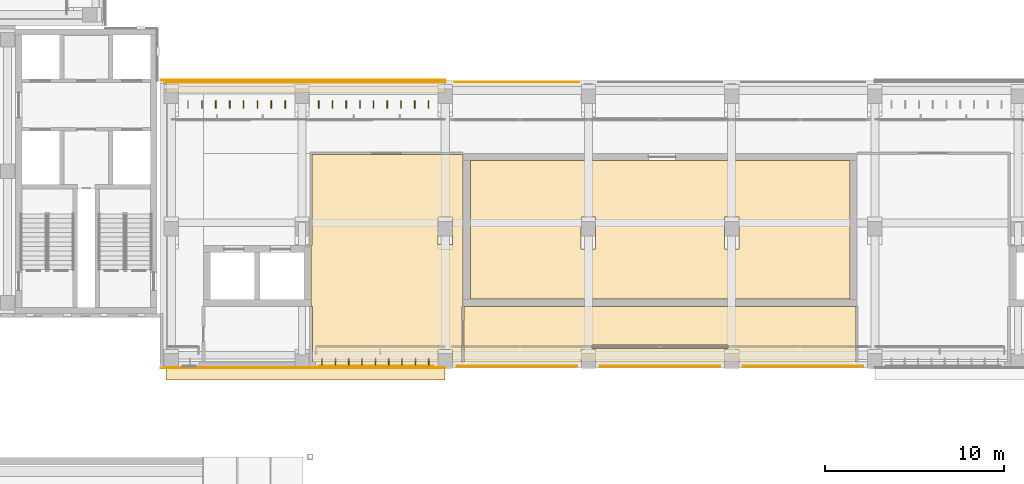
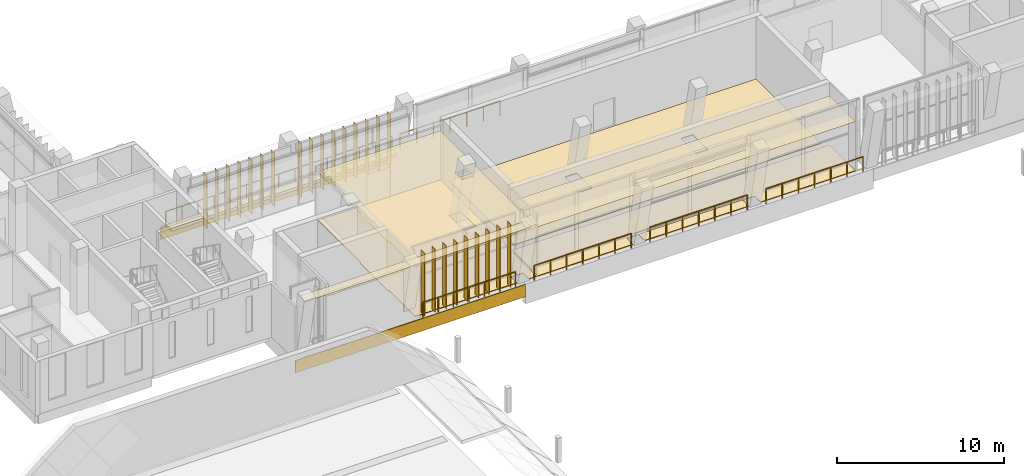
# One storey, part 71 of 89: 25 shading devices, 9 coverings, 6 railings.
"""IFC4 building model written with IfcOpenShell, lengths in metres."""

from ifc_helpers import new_model, si_unit, direction, frame, frame_2d, origin, origin_2d, place, context, subcontext, project, spatial, polyline, rectangle, circle, outline, extrude, material, layer, layer_set, type_object, element, save


model = new_model("IFC4")

# Units and contexts
model_context = context("Model", 3, precision=1e-05, world=origin(), true_north=direction((0.0, 1.0)))
body_context = subcontext(model_context, "Body", "Model", "MODEL_VIEW")
ifc_project = project(units=[si_unit("LENGTHUNIT", "METRE"), si_unit("AREAUNIT", "SQUARE_METRE"), si_unit("VOLUMEUNIT", "CUBIC_METRE"), si_unit("PLANEANGLEUNIT", "RADIAN"), si_unit("MASSUNIT", "GRAM", prefix="KILO")], contexts=[model_context])

# Site, building, storey
site_placement = place(None, origin())
site = spatial("IfcSite", under=ifc_project, at=site_placement, CompositionType="ELEMENT")
building_placement = place(site_placement, origin())
building = spatial("IfcBuilding", under=site, at=building_placement, Name="Lantern Court Media Centre", CompositionType="ELEMENT")
storey_placement = place(building_placement, frame((0.0, 0.0, 14.39990234375)))
storey = spatial("IfcBuildingStorey", under=building, at=storey_placement, Name="L03", CompositionType="ELEMENT", Elevation=14.39990234375)

# Coverings
ifc_material_1 = material(Name="Carpet")
ifc_layer_1 = layer(ifc_material_1, 0.050048828125)
ifc_layer_set_1 = layer_set([ifc_layer_1], Name="Carpet")
covering_type_1 = type_object("IfcCoveringType", Name="Carpet floor finish", PredefinedType="FLOORING", material=ifc_layer_set_1)
covering_1_placement = place(storey_placement, origin())
element("IfcCovering", 1, at=covering_1_placement, inside=storey, type_object=covering_type_1, Name="Library Stacks floor finish", PredefinedType="FLOORING", context=body_context, shape_type="SweptSolid", body=[
    extrude(outline(polyline([(41.405029296875, 56.544921875), (62.594970703125, 56.544921875), (62.594970703125, 48.804931640625), (41.405029296875, 48.804931640625), (41.405029296875, 56.544921875)]), holes=[polyline([(56.39990234375, 51.594970703125), (56.404541015625, 53.40185546875), (55.59814453125, 53.404541015625), (55.595458984375, 51.59814453125), (56.39990234375, 51.594970703125)]), polyline([(48.39990234375, 51.594970703125), (48.404541015625, 53.40185546875), (47.59814453125, 53.404541015625), (47.595458984375, 51.59814453125), (48.39990234375, 51.594970703125)])]), origin(), (0.0, 0.0, 1.0), 0.050048828125),
])
covering_2_placement = place(storey_placement, origin())
element("IfcCovering", 2, at=covering_2_placement, inside=storey, type_object=covering_type_1, Name="Reading Carrels floor finish", PredefinedType="FLOORING", context=body_context, shape_type="SweptSolid", body=[
    extrude(outline(polyline([(41.054931640625, 45.300048828125), (41.054931640625, 48.39501953125), (62.945068359375, 48.39501953125), (62.945068359375, 45.300048828125), (56.405029296875, 45.300048828125), (56.39990234375, 46.0048828125), (55.596923828125, 46.00390625), (55.594970703125, 45.300048828125), (48.405029296875, 45.300048828125), (48.39990234375, 46.0048828125), (47.596923828125, 46.00390625), (47.594970703125, 45.300048828125), (41.054931640625, 45.300048828125)]), holes=[polyline([(48.199951171875, 46.2548828125), (48.199951171875, 46.044921875), (55.804931640625, 46.050048828125), (55.800048828125, 46.2548828125), (48.199951171875, 46.2548828125)])]), origin(), (0.0, 0.0, 1.0), 0.050048828125),
])
covering_3_placement = place(storey_placement, origin())
element("IfcCovering", 3, at=covering_3_placement, inside=storey, type_object=covering_type_1, Name="Media Library Reading Room 03 floor finish", PredefinedType="FLOORING", context=body_context, shape_type="SweptSolid", body=[
    extrude(outline(polyline([(39.594970703125, 45.300048828125), (32.5849609375, 45.304931640625), (32.5849609375, 48.39990234375), (32.5048828125, 48.405029296875), (32.5048828125, 51.794921875), (32.5673828125, 51.800048828125), (32.5673828125, 56.882568359375), (40.9951171875, 56.882568359375), (40.9951171875, 48.405029296875), (40.945068359375, 48.39990234375), (40.945068359375, 45.300048828125), (40.405029296875, 45.300048828125), (40.39990234375, 46.0048828125), (39.596923828125, 46.00390625), (39.594970703125, 45.300048828125)]), holes=[polyline([(39.594970703125, 51.60009765625), (40.404541015625, 51.59814453125), (40.40185546875, 53.404541015625), (39.595458984375, 53.40185546875), (39.594970703125, 51.60009765625)])]), origin(), (0.0, 0.0, 1.0), 0.050048828125),
])

# Railings
ifc_material_2 = material(Name="Powder-coated steel", Category="steel")
railing_type_1 = type_object("IfcRailingType", Name="Floor edge guard 1100", PredefinedType="GUARDRAIL", material=ifc_material_2)
railing_1_placement = place(storey_placement, frame((39.35107421875, 45.06005859375, 0.0)))
element("IfcRailing", 4, at=railing_1_placement, inside=storey, type_object=railing_type_1, Name="L03 edge guard 84", PredefinedType="GUARDRAIL", context=body_context, shape_type="SweptSolid", body=[
    extrude(circle(Radius=0.02392578125, at=origin_2d()), frame((0.0, 0.0, 1.076171875), z_axis=(-1.0, 0.0, 0.0), x_axis=(0.0, -1.0, 0.0)), (0.0, 0.0, 1.0), 6.39599609375),
    extrude(circle(Radius=0.02099609375, at=origin_2d()), origin(), (0.0, 0.0, 1.0), 1.052001953125),
    extrude(circle(Radius=0.02099609375, at=origin_2d()), frame((-1.06591796875, 0.0, 0.0)), (0.0, 0.0, 1.0), 1.052001953125),
    extrude(circle(Radius=0.02099609375, at=origin_2d()), frame((-2.132080078125, 0.0, 0.0)), (0.0, 0.0, 1.0), 1.052001953125),
    extrude(circle(Radius=0.02099609375, at=origin_2d()), frame((-3.197998046875, 0.0, 0.0)), (0.0, 0.0, 1.0), 1.052001953125),
    extrude(circle(Radius=0.02099609375, at=origin_2d()), frame((-4.263916015625, 0.0, 0.0)), (0.0, 0.0, 1.0), 1.052001953125),
    extrude(circle(Radius=0.02099609375, at=origin_2d()), frame((-5.330078125, 0.0, 0.0)), (0.0, 0.0, 1.0), 1.052001953125),
    extrude(circle(Radius=0.02099609375, at=origin_2d()), frame((-6.39599609375, 0.0, 0.0)), (0.0, 0.0, 1.0), 1.052001953125),
])
railing_2_placement = place(storey_placement, frame((40.56201171875, 60.93994140625, 0.0)))
element("IfcRailing", 5, at=railing_2_placement, inside=storey, type_object=railing_type_1, Name="L03 edge guard 85", PredefinedType="GUARDRAIL", context=body_context, shape_type="SweptSolid", body=[
    extrude(circle(Radius=0.02392578125, at=origin_2d()), frame((0.0, 0.0, 1.076171875), z_axis=(1.0, 0.0, 0.0), x_axis=(0.0, 1.0, 0.0)), (0.0, 0.0, 1.0), 6.89599609375),
    extrude(circle(Radius=0.02099609375, at=origin_2d()), origin(), (0.0, 0.0, 1.0), 1.052001953125),
    extrude(circle(Radius=0.02099609375, at=origin_2d()), frame((1.1494140625, 0.0, 0.0)), (0.0, 0.0, 1.0), 1.052001953125),
    extrude(circle(Radius=0.02099609375, at=origin_2d()), frame((2.298583984375, 0.0, 0.0)), (0.0, 0.0, 1.0), 1.052001953125),
    extrude(circle(Radius=0.02099609375, at=origin_2d()), frame((3.447998046875, 0.0, 0.0)), (0.0, 0.0, 1.0), 1.052001953125),
    extrude(circle(Radius=0.02099609375, at=origin_2d()), frame((4.597412109375, 0.0, 0.0)), (0.0, 0.0, 1.0), 1.052001953125),
    extrude(circle(Radius=0.02099609375, at=origin_2d()), frame((5.74658203125, 0.0, 0.0)), (0.0, 0.0, 1.0), 1.052001953125),
    extrude(circle(Radius=0.02099609375, at=origin_2d()), frame((6.89599609375, 0.0, 0.0)), (0.0, 0.0, 1.0), 1.052001953125),
])
for number, where, name in (
    (6, (47.346923828125, 45.06005859375, 0.0), "L03 edge guard 86"),
    (7, (55.342041015625, 45.06005859375, 0.0), "L03 edge guard 89"),
):
    element("IfcRailing", number, at=place(storey_placement, frame(where)), inside=storey, type_object=railing_type_1, Name=name, PredefinedType="GUARDRAIL", context=body_context, shape_type="SweptSolid", body=[
        extrude(circle(Radius=0.02392578125, at=origin_2d()), frame((0.0, 0.0, 1.076171875), z_axis=(-1.0, 0.0, 0.0), x_axis=(0.0, -1.0, 0.0)), (0.0, 0.0, 1.0), 6.696044921875),
        extrude(circle(Radius=0.02099609375, at=origin_2d()), origin(), (0.0, 0.0, 1.0), 1.052001953125),
        extrude(circle(Radius=0.02099609375, at=origin_2d()), frame((-1.115966796875, 0.0, 0.0)), (0.0, 0.0, 1.0), 1.052001953125),
        extrude(circle(Radius=0.02099609375, at=origin_2d()), frame((-2.23193359375, 0.0, 0.0)), (0.0, 0.0, 1.0), 1.052001953125),
        extrude(circle(Radius=0.02099609375, at=origin_2d()), frame((-3.34814453125, 0.0, 0.0)), (0.0, 0.0, 1.0), 1.052001953125),
        extrude(circle(Radius=0.02099609375, at=origin_2d()), frame((-4.464111328125, 0.0, 0.0)), (0.0, 0.0, 1.0), 1.052001953125),
        extrude(circle(Radius=0.02099609375, at=origin_2d()), frame((-5.580078125, 0.0, 0.0)), (0.0, 0.0, 1.0), 1.052001953125),
        extrude(circle(Radius=0.02099609375, at=origin_2d()), frame((-6.696044921875, 0.0, 0.0)), (0.0, 0.0, 1.0), 1.052001953125),
    ])
railing_3_placement = place(storey_placement, frame((63.337890625, 45.06005859375, 0.0)))
element("IfcRailing", 8, at=railing_3_placement, inside=storey, type_object=railing_type_1, Name="L03 edge guard 92", PredefinedType="GUARDRAIL", context=body_context, shape_type="SweptSolid", body=[
    extrude(circle(Radius=0.02392578125, at=origin_2d()), frame((0.0, 0.0, 1.076171875), z_axis=(-1.0, 0.0, 0.0), x_axis=(0.0, -1.0, 0.0)), (0.0, 0.0, 1.0), 6.69580078125),
    extrude(circle(Radius=0.02099609375, at=origin_2d()), origin(), (0.0, 0.0, 1.0), 1.052001953125),
    extrude(circle(Radius=0.02099609375, at=origin_2d()), frame((-1.115966796875, 0.0, 0.0)), (0.0, 0.0, 1.0), 1.052001953125),
    extrude(circle(Radius=0.02099609375, at=origin_2d()), frame((-2.23193359375, 0.0, 0.0)), (0.0, 0.0, 1.0), 1.052001953125),
    extrude(circle(Radius=0.02099609375, at=origin_2d()), frame((-3.347900390625, 0.0, 0.0)), (0.0, 0.0, 1.0), 1.052001953125),
    extrude(circle(Radius=0.02099609375, at=origin_2d()), frame((-4.4638671875, 0.0, 0.0)), (0.0, 0.0, 1.0), 1.052001953125),
    extrude(circle(Radius=0.02099609375, at=origin_2d()), frame((-5.579833984375, 0.0, 0.0)), (0.0, 0.0, 1.0), 1.052001953125),
    extrude(circle(Radius=0.02099609375, at=origin_2d()), frame((-6.69580078125, 0.0, 0.0)), (0.0, 0.0, 1.0), 1.052001953125),
])

# Coverings
ifc_material_3 = material(Name="White glass-fibre reinforced cement cladding", Category="concrete")
ifc_layer_2 = layer(ifc_material_3, 0.050048828125)
ifc_layer_set_2 = layer_set([ifc_layer_2], Name="White glass-fibre reinforced cement cladding")
covering_type_2 = type_object("IfcCoveringType", Name="Floor-edge band 50", PredefinedType="CLADDING", material=ifc_layer_set_2)
for number, where, z_axis, x_axis, name in (
    (9, (24.10009765625, 44.97509765625, -0.89990234375), (0.0, 0.0, 1.0), (1.0, 0.0, 0.0), "Floor-edge band S outer L03"),
    (10, (24.10009765625, 61.02490234375, -0.89990234375), (0.0, 0.0, 1.0), (1.0, 0.0, 0.0), "Floor-edge band S inner L03"),
):
    element("IfcCovering", number, at=place(storey_placement, frame(where, z_axis=z_axis, x_axis=x_axis)), inside=storey, type_object=covering_type_2, Name=name, PredefinedType="CLADDING", context=body_context, shape_type="SweptSolid", body=[
        extrude(rectangle(XDim=15.89990234375, YDim=0.050048828125, at=frame_2d((7.949951171875, 0.0))), origin(), (0.0, 0.0, 1.0), 0.89990234375),
    ])

# Railing
ifc_material_4 = material(Name="Painted mild steel balustrade", Category="steel")
railing_type_2 = type_object("IfcRailingType", Name="Guard 1100 steel balustrade", PredefinedType="GUARDRAIL", material=ifc_material_4)
railing_4_placement = place(storey_placement, frame((24.39990234375, 60.949951171875, 0.0)))
element("IfcRailing", 11, at=railing_4_placement, inside=storey, type_object=railing_type_2, Name="Ledge guard S L03", PredefinedType="GUARDRAIL", context=body_context, shape_type="SweptSolid", body=[
    extrude(circle(Radius=0.02392578125, at=origin_2d()), frame((0.0, 0.0, 1.076171875), z_axis=(1.0, 0.0, 0.0), x_axis=(0.0, 1.0, 0.0)), (0.0, 0.0, 1.0), 15.60009765625),
    extrude(circle(Radius=0.02099609375, at=origin_2d()), origin(), (0.0, 0.0, 1.0), 1.052001953125),
    extrude(circle(Radius=0.02099609375, at=origin_2d()), frame((1.1142578125, 0.0, 0.0)), (0.0, 0.0, 1.0), 1.052001953125),
    extrude(circle(Radius=0.02099609375, at=origin_2d()), frame((2.228515625, 0.0, 0.0)), (0.0, 0.0, 1.0), 1.052001953125),
    extrude(circle(Radius=0.02099609375, at=origin_2d()), frame((3.3427734375, 0.0, 0.0)), (0.0, 0.0, 1.0), 1.052001953125),
    extrude(circle(Radius=0.02099609375, at=origin_2d()), frame((4.457275390625, 0.0, 0.0)), (0.0, 0.0, 1.0), 1.052001953125),
    extrude(circle(Radius=0.02099609375, at=origin_2d()), frame((5.571533203125, 0.0, 0.0)), (0.0, 0.0, 1.0), 1.052001953125),
    extrude(circle(Radius=0.02099609375, at=origin_2d()), frame((6.685791015625, 0.0, 0.0)), (0.0, 0.0, 1.0), 1.052001953125),
    extrude(circle(Radius=0.02099609375, at=origin_2d()), frame((7.800048828125, 0.0, 0.0)), (0.0, 0.0, 1.0), 1.052001953125),
    extrude(circle(Radius=0.02099609375, at=origin_2d()), frame((8.914306640625, 0.0, 0.0)), (0.0, 0.0, 1.0), 1.052001953125),
    extrude(circle(Radius=0.02099609375, at=origin_2d()), frame((10.028564453125, 0.0, 0.0)), (0.0, 0.0, 1.0), 1.052001953125),
    extrude(circle(Radius=0.02099609375, at=origin_2d()), frame((11.142822265625, 0.0, 0.0)), (0.0, 0.0, 1.0), 1.052001953125),
    extrude(circle(Radius=0.02099609375, at=origin_2d()), frame((12.25732421875, 0.0, 0.0)), (0.0, 0.0, 1.0), 1.052001953125),
    extrude(circle(Radius=0.02099609375, at=origin_2d()), frame((13.37158203125, 0.0, 0.0)), (0.0, 0.0, 1.0), 1.052001953125),
    extrude(circle(Radius=0.02099609375, at=origin_2d()), frame((14.48583984375, 0.0, 0.0)), (0.0, 0.0, 1.0), 1.052001953125),
    extrude(circle(Radius=0.02099609375, at=origin_2d()), frame((15.60009765625, 0.0, 0.0)), (0.0, 0.0, 1.0), 1.052001953125),
])

# Coverings
ifc_material_5 = material(Name="Planting substrate")
ifc_layer_3 = layer(ifc_material_5, 0.199951171875)
ifc_layer_set_3 = layer_set([ifc_layer_3], Name="Planting substrate")
covering_type_3 = type_object("IfcCoveringType", Name="Planted ledge build-up 200", PredefinedType="ROOFING", material=ifc_layer_set_3)
covering_4_placement = place(storey_placement, origin())
element("IfcCovering", 12, at=covering_4_placement, inside=storey, type_object=covering_type_3, Name="Planted ledge S L03", PredefinedType="ROOFING", context=body_context, shape_type="SweptSolid", body=[
    extrude(outline(polyline([(24.39990234375, 60.85009765625), (40.0, 60.85009765625), (40.0, 60.320068359375), (24.39990234375, 60.320068359375), (24.39990234375, 60.85009765625)])), origin(), (0.0, 0.0, 1.0), 0.2001953125),
])
ifc_material_6 = material(Name="White fibre cement soffit board")
ifc_layer_4 = layer(ifc_material_6, 0.0400390625)
ifc_layer_set_4 = layer_set([ifc_layer_4], Name="White fibre cement soffit board")
covering_type_4 = type_object("IfcCoveringType", Name="Soffit lining 40", PredefinedType="CLADDING", material=ifc_layer_set_4)
covering_5_placement = place(storey_placement, frame((24.39990234375, 44.64990234375, 4.5400390625), z_axis=(0.0, 0.0, 1.0), x_axis=(1.0, 0.0, 0.0)))
element("IfcCovering", 13, at=covering_5_placement, inside=storey, type_object=covering_type_4, Name="Soffit lining S L03", PredefinedType="CLADDING", context=body_context, shape_type="SweptSolid", body=[
    extrude(rectangle(XDim=15.60009765625, YDim=0.699951171875, at=frame_2d((7.800048828125, 0.0))), origin(), (0.0, 0.0, 1.0), 0.0400390625),
])
ifc_material_7 = material(Name="Mineral fibre ceiling tile")
ifc_layer_5 = layer(ifc_material_7, 0.02001953125)
ifc_layer_set_5 = layer_set([ifc_layer_5], Name="Mineral fibre ceiling tile")
covering_type_5 = type_object("IfcCoveringType", Name="Suspended ceiling tile", PredefinedType="CEILING", material=ifc_layer_set_5)
covering_6_placement = place(storey_placement, frame((0.0, 0.0, 3.60009765625)))
element("IfcCovering", 14, at=covering_6_placement, inside=storey, type_object=covering_type_5, Name="Reading Carrels ceiling", PredefinedType="CEILING", context=body_context, shape_type="SweptSolid", body=[
    extrude(outline(polyline([(41.050537109375, 45.300048828125), (41.050537109375, 48.3994140625), (62.949462890625, 48.3994140625), (62.949462890625, 45.300048828125), (41.050537109375, 45.300048828125)]), holes=[polyline([(48.199462890625, 46.050048828125), (55.800048828125, 46.049560546875), (55.800537109375, 46.25), (48.199951171875, 46.25048828125), (48.199462890625, 46.050048828125)])]), origin(), (0.0, 0.0, 1.0), 0.02001953125),
])
covering_7_placement = place(storey_placement, frame((0.0, 0.0, 3.60009765625)))
element("IfcCovering", 15, at=covering_7_placement, inside=storey, type_object=covering_type_5, Name="Media Library Reading Room 03 ceiling", PredefinedType="CEILING", context=body_context, shape_type="SweptSolid", body=[
    extrude(outline(polyline([(40.949462890625, 45.300048828125), (32.58056640625, 45.300537109375), (32.58056640625, 48.39990234375), (32.50048828125, 48.400390625), (32.50048828125, 51.799560546875), (32.56298828125, 51.800048828125), (32.56298828125, 56.886962890625), (40.99951171875, 56.886962890625), (40.99951171875, 48.400390625), (40.949462890625, 48.39990234375), (40.949462890625, 45.300048828125)]), holes=[polyline([(40.39990234375, 52.599609375), (40.400146484375, 52.6484375), (39.599609375, 52.64794921875), (39.599853515625, 52.599609375), (40.39990234375, 52.599609375)]), polyline([(40.39990234375, 51.847412109375), (40.400390625, 52.400390625), (39.599609375, 52.400390625), (39.599609375, 51.847412109375), (40.39990234375, 51.847412109375)])]), origin(), (0.0, 0.0, 1.0), 0.02001953125),
])

# Shading devices
ifc_material_8 = material(Name="Bronze anodised aluminium louvre", Category="aluminium")
ifc_layer_6 = layer(ifc_material_8, 0.0400390625)
ifc_layer_set_6 = layer_set([ifc_layer_6], Name="Bronze anodised aluminium louvre")
shading_device_type_1 = type_object("IfcShadingDeviceType", Name="Vertical louvre 40x400 full storey", PredefinedType="USERDEFINED", material=ifc_layer_set_6)
for number, where, z_axis, x_axis, name in (
    (16, (33.122314453125, 45.320068359375, 0.0), (0.0, 0.0, 1.0), (1.0, 0.0, 0.0), "Vertical louvre S outer L03"),
    (17, (33.86669921875, 45.320068359375, 0.0), (0.0, 0.0, 1.0), (1.0, 0.0, 0.0), "Vertical louvre S outer L03"),
    (18, (34.611083984375, 45.320068359375, 0.0), (0.0, 0.0, 1.0), (1.0, 0.0, 0.0), "Vertical louvre S outer L03"),
    (19, (35.35546875, 45.320068359375, 0.0), (0.0, 0.0, 1.0), (1.0, 0.0, 0.0), "Vertical louvre S outer L03"),
    (20, (36.10009765625, 45.320068359375, 0.0), (0.0, 0.0, 1.0), (1.0, 0.0, 0.0), "Vertical louvre S outer L03"),
    (21, (36.844482421875, 45.320068359375, 0.0), (0.0, 0.0, 1.0), (1.0, 0.0, 0.0), "Vertical louvre S outer L03"),
    (22, (37.5888671875, 45.320068359375, 0.0), (0.0, 0.0, 1.0), (1.0, 0.0, 0.0), "Vertical louvre S outer L03"),
    (23, (38.333251953125, 45.320068359375, 0.0), (0.0, 0.0, 1.0), (1.0, 0.0, 0.0), "Vertical louvre S outer L03"),
    (24, (39.077880859375, 45.320068359375, 0.0), (0.0, 0.0, 1.0), (1.0, 0.0, 0.0), "Vertical louvre S outer L03"),
):
    element("IfcShadingDevice", number, at=place(storey_placement, frame(where, z_axis=z_axis, x_axis=x_axis)), inside=storey, type_object=shading_device_type_1, Name=name, ObjectType="VERTICAL LOUVRE", PredefinedType="USERDEFINED", context=body_context, shape_type="SweptSolid", body=[
        extrude(rectangle(XDim=0.0400390625, YDim=0.39990234375, at=origin_2d()), origin(), (0.0, 0.0, 1.0), 4.580078125),
    ])
ifc_layer_7 = layer(ifc_material_8, 0.0400390625)
ifc_layer_set_7 = layer_set([ifc_layer_7], Name="Bronze anodised aluminium louvre")
shading_device_type_2 = type_object("IfcShadingDeviceType", Name="Vertical louvre 40x400 under beam", PredefinedType="USERDEFINED", material=ifc_layer_set_7)
for number, where, z_axis, x_axis, name in (
    (25, (26.41259765625, 59.679931640625, 0.000244140625), (0.0, 0.0, 1.0), (1.0, 0.0, 0.0), "Vertical louvre S inner L03"),
    (26, (27.1875, 59.679931640625, 0.000244140625), (0.0, 0.0, 1.0), (1.0, 0.0, 0.0), "Vertical louvre S inner L03"),
    (27, (27.96240234375, 59.679931640625, 0.000244140625), (0.0, 0.0, 1.0), (1.0, 0.0, 0.0), "Vertical louvre S inner L03"),
    (28, (28.737548828125, 59.679931640625, 0.000244140625), (0.0, 0.0, 1.0), (1.0, 0.0, 0.0), "Vertical louvre S inner L03"),
    (29, (29.512451171875, 59.679931640625, 0.000244140625), (0.0, 0.0, 1.0), (1.0, 0.0, 0.0), "Vertical louvre S inner L03"),
    (30, (30.28759765625, 59.679931640625, 0.000244140625), (0.0, 0.0, 1.0), (1.0, 0.0, 0.0), "Vertical louvre S inner L03"),
    (31, (31.0625, 59.679931640625, 0.000244140625), (0.0, 0.0, 1.0), (1.0, 0.0, 0.0), "Vertical louvre S inner L03"),
    (32, (32.933349609375, 59.679931640625, 0.000244140625), (0.0, 0.0, 1.0), (1.0, 0.0, 0.0), "Vertical louvre S inner L03"),
    (33, (33.699951171875, 59.679931640625, 0.000244140625), (0.0, 0.0, 1.0), (1.0, 0.0, 0.0), "Vertical louvre S inner L03"),
    (34, (34.466552734375, 59.679931640625, 0.000244140625), (0.0, 0.0, 1.0), (1.0, 0.0, 0.0), "Vertical louvre S inner L03"),
    (35, (35.2333984375, 59.679931640625, 0.000244140625), (0.0, 0.0, 1.0), (1.0, 0.0, 0.0), "Vertical louvre S inner L03"),
    (36, (36.0, 59.679931640625, 0.000244140625), (0.0, 0.0, 1.0), (1.0, 0.0, 0.0), "Vertical louvre S inner L03"),
    (37, (36.7666015625, 59.679931640625, 0.000244140625), (0.0, 0.0, 1.0), (1.0, 0.0, 0.0), "Vertical louvre S inner L03"),
    (38, (37.533447265625, 59.679931640625, 0.000244140625), (0.0, 0.0, 1.0), (1.0, 0.0, 0.0), "Vertical louvre S inner L03"),
    (39, (38.300048828125, 59.679931640625, 0.000244140625), (0.0, 0.0, 1.0), (1.0, 0.0, 0.0), "Vertical louvre S inner L03"),
    (40, (39.066650390625, 59.679931640625, 0.000244140625), (0.0, 0.0, 1.0), (1.0, 0.0, 0.0), "Vertical louvre S inner L03"),
):
    element("IfcShadingDevice", number, at=place(storey_placement, frame(where, z_axis=z_axis, x_axis=x_axis)), inside=storey, type_object=shading_device_type_2, Name=name, ObjectType="VERTICAL LOUVRE", PredefinedType="USERDEFINED", context=body_context, shape_type="SweptSolid", body=[
        extrude(rectangle(XDim=0.0400390625, YDim=0.39990234375, at=origin_2d()), origin(), (0.0, 0.0, 1.0), 3.89990234375),
    ])

save(model, "model.ifc")
